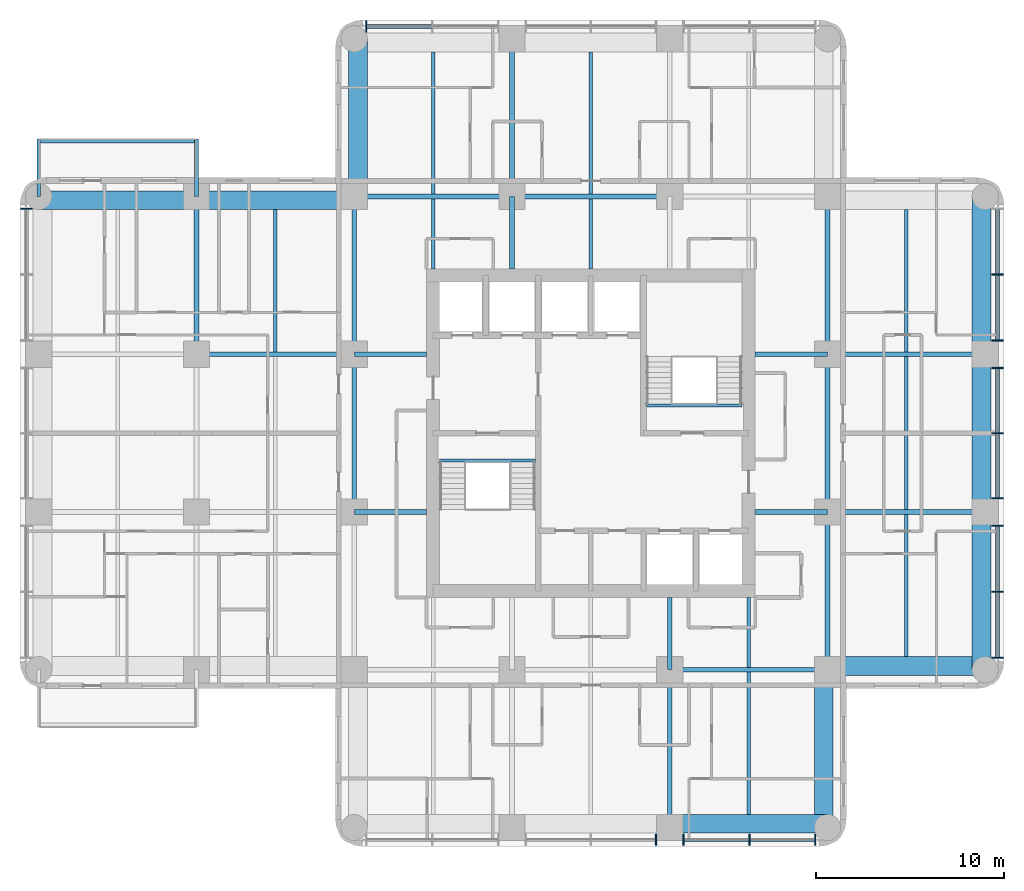
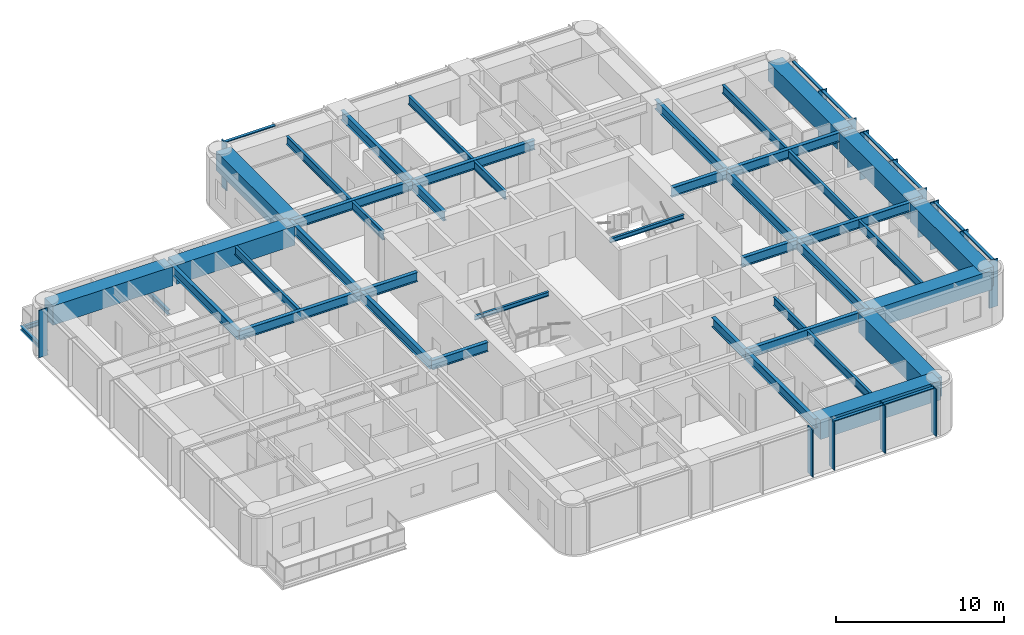
# One storey, part 2 of 11: 44 beams, 23 members, 4 elements without a shape of their own.
"""IFC4 building model written with IfcOpenShell, lengths in metres."""

import ifcopenshell
import ifcopenshell.guid

model = None  # the IFC model being written
_history = None  # IfcOwnerHistory: only IFC2X3 demands one
_inside = {}  # id of a spatial element -> (the spatial element, [elements in it])
_under = {}  # id of a project, library or spatial element -> (it, [spatial elements below it])
_declared = {}  # id of a project -> (the project, [libraries it declares])
_typed = {}  # id of a type object -> (the type object, [elements of that type])
_made_of = {}  # id of a material, layer set ... -> (it, [elements and type objects made of it])


def new_model(schema):
    """Start an empty IFC model of exactly this schema.

    Asked for "IFC4X3", IfcOpenShell would pick the latest addendum, in which some entities
    have other attributes; the version numbers below select the first issue.
    IFC2X3 requires an IfcOwnerHistory on every rooted entity: one is made here for all.
    """
    global model, _history
    if schema == "IFC4X3":
        model = ifcopenshell.file(schema_version=(4, 3, 0, 0))
    else:
        model = ifcopenshell.file(schema=schema)
    _inside.clear()
    _under.clear()
    _declared.clear()
    _typed.clear()
    _made_of.clear()
    _history = None
    if model.schema == "IFC2X3":
        org = make("IfcOrganization", Name="unknown")
        user = make(
            "IfcPersonAndOrganization",
            ThePerson=make("IfcPerson", FamilyName="unknown"),
            TheOrganization=org,
        )
        app = make(
            "IfcApplication",
            ApplicationDeveloper=org,
            Version="unknown",
            ApplicationFullName="unknown",
            ApplicationIdentifier="unknown",
        )
        _history = make(
            "IfcOwnerHistory",
            OwningUser=user,
            OwningApplication=app,
            ChangeAction="ADDED",
            CreationDate=0,
        )
    return model


def make(cls, **values):
    """One entity of the class cls with the attributes given. An attribute that is None is left unset."""
    return model.create_entity(
        cls, **{name: value for name, value in values.items() if value is not None}
    )


def rooted(cls, **values):
    """An entity with a GlobalId (a new one), such as an element, a storey or a relation."""
    return make(cls, GlobalId=ifcopenshell.guid.new(), OwnerHistory=_history, **values)


def si_unit(unit_type, name, prefix=None):
    """IfcSIUnit, for example si_unit("LENGTHUNIT", "METRE", prefix="MILLI")."""
    return make("IfcSIUnit", UnitType=unit_type, Prefix=prefix, Name=name)


def assignment(units):
    """IfcUnitAssignment: the units of a project."""
    return None if units is None else make("IfcUnitAssignment", Units=units)


def point(xyz):
    """IfcCartesianPoint."""
    return None if xyz is None else make("IfcCartesianPoint", Coordinates=xyz)


def direction(xyz):
    """IfcDirection."""
    return None if xyz is None else make("IfcDirection", DirectionRatios=xyz)


def frame(location, z_axis=None, x_axis=None):
    """IfcAxis2Placement3D, a coordinate frame: its origin and axes. An axis left out is left unset."""
    return make(
        "IfcAxis2Placement3D",
        Location=point(location),
        Axis=direction(z_axis),
        RefDirection=direction(x_axis),
    )


def frame_2d(location, x_axis=None):
    """IfcAxis2Placement2D, a coordinate frame in the plane: its origin and x axis."""
    return make(
        "IfcAxis2Placement2D", Location=point(location), RefDirection=direction(x_axis)
    )


def origin():
    """The frame at (0, 0, 0) with its axes left unset."""
    return frame((0.0, 0.0, 0.0))


def origin_2d():
    """The frame at (0, 0) in the plane with its x axis left unset."""
    return frame_2d((0.0, 0.0))


def place(relative_to, where):
    """IfcLocalPlacement: puts the frame where relative to a parent placement (None: the world)."""
    return make(
        "IfcLocalPlacement", PlacementRelTo=relative_to, RelativePlacement=where
    )


def context(
    kind, dimensions, precision=None, world=None, true_north=None, identifier=None
):
    """IfcGeometricRepresentationContext, for example the 3D "Model" context."""
    return make(
        "IfcGeometricRepresentationContext",
        ContextIdentifier=identifier,
        ContextType=kind,
        CoordinateSpaceDimension=dimensions,
        Precision=precision,
        WorldCoordinateSystem=world,
        TrueNorth=true_north,
    )


def subcontext(parent, identifier, kind, view, scale=None):
    """IfcGeometricRepresentationSubContext, for example "Body" below "Model"."""
    return make(
        "IfcGeometricRepresentationSubContext",
        ContextIdentifier=identifier,
        ContextType=kind,
        ParentContext=parent,
        TargetScale=scale,
        TargetView=view,
    )


def project(units=None, contexts=None):
    """IfcProject with its units and contexts."""
    return rooted(
        "IfcProject",
        Name="project",
        RepresentationContexts=contexts,
        UnitsInContext=assignment(units),
    )


def spatial(cls, under=None, at=None, **own):
    """A site, building, storey or space (cls), placed at a placement, below another one or the project."""
    s = rooted(cls, ObjectPlacement=at, **own)
    if under is not None:
        _under.setdefault(under.id(), (under, []))[1].append(s)
    return s


def profile(cls, at=None, kind="AREA", **sizes):
    """A parametric profile (cls). Its sizes go by their IFC names, for example OverallWidth=200.0."""
    return make(cls, ProfileType=kind, Position=at, **sizes)


def rectangle(**sizes):
    """IfcRectangleProfileDef."""
    return profile("IfcRectangleProfileDef", **sizes)


def i_section(**sizes):
    """IfcIShapeProfileDef."""
    return profile("IfcIShapeProfileDef", **sizes)


def extrude(swept, where, along, depth):
    """IfcExtrudedAreaSolid: the profile swept, set in the frame where, extruded along a direction by depth."""
    return make(
        "IfcExtrudedAreaSolid",
        SweptArea=swept,
        Position=where,
        ExtrudedDirection=direction(along),
        Depth=depth,
    )


def shape(context_of_items, identifier, shape_type, items):
    """IfcShapeRepresentation: the items that make up one representation, for example the "Body"."""
    return make(
        "IfcShapeRepresentation",
        ContextOfItems=context_of_items,
        RepresentationIdentifier=identifier,
        RepresentationType=shape_type,
        Items=items,
    )


def material(Name=None, Category=None):
    """IfcMaterial."""
    return make("IfcMaterial", Name=Name, Category=Category)


def material_profile(
    of_material, cross_section, Name=None, Category=None, Priority=None
):
    """IfcMaterialProfile: a cross section and its material."""
    return make(
        "IfcMaterialProfile",
        Name=Name,
        Material=of_material,
        Profile=cross_section,
        Priority=Priority,
        Category=Category,
    )


def profile_set(profiles, Name=None, composite=None):
    """IfcMaterialProfileSet."""
    return make(
        "IfcMaterialProfileSet",
        Name=Name,
        MaterialProfiles=profiles,
        CompositeProfile=composite,
    )


def made_of(thing, what):
    """Note that an element or type object is made of a material, layer set ...; save() writes the relation."""
    if what is not None:
        _made_of.setdefault(what.id(), (what, []))[1].append(thing)
    return thing


def type_object(cls, material=None, **own):
    """A type object (cls), such as IfcWallType, which elements share."""
    return made_of(rooted(cls, **own), material)


def element(
    cls,
    number,
    at=None,
    inside=None,
    cuts=None,
    type_object=None,
    material=None,
    context=None,
    identifier="Body",
    shape_type=None,
    held_by="IfcProductDefinitionShape",
    body=None,
    shapes=None,
    **own,
):
    """One element of the class cls, such as IfcWall. Its Tag is "e" and its number.

    at: its placement. inside: the storey or other place that contains it. cuts: it is an
    opening in that element (IfcRelVoidsElement). A single representation is given by context,
    identifier, shape_type and body (its items); several are given by shapes. held_by: the class
    of the entity that holds the representations. save() writes the other relations.
    """
    e = rooted(cls, Tag="e%d" % number, ObjectPlacement=at, **own)
    if body is not None:
        shapes = [shape(context, identifier, shape_type, body)]
    if shapes is not None:
        e.Representation = make(held_by, Representations=shapes)
    if inside is not None:
        _inside.setdefault(inside.id(), (inside, []))[1].append(e)
    if cuts is not None:
        rooted(
            "IfcRelVoidsElement", RelatingBuildingElement=cuts, RelatedOpeningElement=e
        )
    if type_object is not None:
        _typed.setdefault(type_object.id(), (type_object, []))[1].append(e)
    return made_of(e, material)


def aggregate(whole, parts):
    """IfcRelAggregates: a whole, such as a stair, and the parts it consists of."""
    return rooted("IfcRelAggregates", RelatingObject=whole, RelatedObjects=parts)


def save(model, path):
    """Write the relations noted so far, then the file.

    IfcRelAggregates (storeys below a building ...), IfcRelContainedInSpatialStructure (elements
    in a storey), IfcRelDefinesByType, IfcRelAssociatesMaterial and IfcRelDeclares: one each for
    every whole, place, type object, material and project.
    """
    for whole, parts in _under.values():
        aggregate(whole, parts)
    for where, things in _inside.values():
        rooted(
            "IfcRelContainedInSpatialStructure",
            RelatedElements=things,
            RelatingStructure=where,
        )
    for kind, things in _typed.values():
        rooted("IfcRelDefinesByType", RelatedObjects=things, RelatingType=kind)
    for what, things in _made_of.values():
        rooted("IfcRelAssociatesMaterial", RelatedObjects=things, RelatingMaterial=what)
    for by, libraries in _declared.values():
        rooted("IfcRelDeclares", RelatingContext=by, RelatedDefinitions=libraries)
    model.write(path)


model = new_model("IFC4")

# Units and contexts
model_context = context("Model", 3, precision=1e-05, world=origin(), true_north=direction((0.0, 1.0)))
body_context = subcontext(model_context, "Body", "Model", "MODEL_VIEW")
ifc_project = project(units=[si_unit("LENGTHUNIT", "METRE"), si_unit("AREAUNIT", "SQUARE_METRE"), si_unit("VOLUMEUNIT", "CUBIC_METRE"), si_unit("PLANEANGLEUNIT", "RADIAN"), si_unit("MASSUNIT", "GRAM", prefix="KILO")], contexts=[model_context])

# Site, building, storey
site_placement = place(None, origin())
site = spatial("IfcSite", under=ifc_project, at=site_placement, CompositionType="ELEMENT")
building_placement = place(site_placement, origin())
building = spatial("IfcBuilding", under=site, at=building_placement, Name="Torre Alcanfor", CompositionType="ELEMENT")
storey_placement = place(building_placement, frame((0.0, 0.0, 194.10009765625)))
storey = spatial("IfcBuildingStorey", under=building, at=storey_placement, Name="L50", CompositionType="ELEMENT", Elevation=194.10009765625)

# Beams
ifc_material_1 = material(Name="Steel ASTM A992 Grade 50", Category="steel")
ifc_material_profile_1 = material_profile(ifc_material_1, i_section(OverallWidth=0.205322265625, OverallDepth=0.309814453125, WebThickness=0.00927734375, FlangeThickness=0.016357421875, at=origin_2d()), Name="W12x50")
ifc_profile_set_1 = profile_set([ifc_material_profile_1], Name="Steel ASTM A992 Grade 50")
beam_type_1 = type_object("IfcBeamType", Name="Balcony cantilever beam W12x50", PredefinedType="BEAM", material=ifc_profile_set_1)
for number, where, z_axis, x_axis, name in (
    (1, (8.39990234375, 42.0, -0.35498046875), (0.0, 1.0, 0.0), (-1.0, 0.0, 0.0), "Balcony cantilever beam L50-W2 1"),
    (2, (0.0, 42.0, -0.35498046875), (0.0, 1.0, 0.0), (-1.0, 0.0, 0.0), "Balcony cantilever beam L50-W2 2"),
):
    element("IfcBeam", number, at=place(storey_placement, frame(where, z_axis=z_axis, x_axis=x_axis)), inside=storey, type_object=beam_type_1, Name=name, PredefinedType="BEAM", context=body_context, shape_type="SweptSolid", body=[
        extrude(i_section(OverallWidth=0.205322265625, OverallDepth=0.309814453125, WebThickness=0.00927734375, FlangeThickness=0.016357421875, at=origin_2d()), origin(), (0.0, 0.0, 1.0), 3.050048828125),
    ])
ifc_material_2 = material(Name="Steel ASTM A992 Grade 50", Category="steel")
ifc_material_profile_2 = material_profile(ifc_material_2, i_section(OverallWidth=0.203369140625, OverallDepth=0.30224609375, WebThickness=0.007568359375, FlangeThickness=0.01318359375, at=origin_2d()), Name="W12x40")
ifc_profile_set_2 = profile_set([ifc_material_profile_2], Name="Steel ASTM A992 Grade 50")
beam_type_2 = type_object("IfcBeamType", Name="Balcony edge trimmer W12x40", PredefinedType="BEAM", material=ifc_profile_set_2)
beam_1_placement = place(storey_placement, frame((8.39990234375, 44.9482421875, -0.351318359375), z_axis=(-1.0, 0.0, 0.0), x_axis=(0.0, -1.0, 0.0)))
element("IfcBeam", 3, at=beam_1_placement, inside=storey, type_object=beam_type_2, Name="Balcony edge trimmer L50-W2", PredefinedType="BEAM", context=body_context, shape_type="SweptSolid", body=[
    extrude(i_section(OverallWidth=0.203369140625, OverallDepth=0.30224609375, WebThickness=0.007568359375, FlangeThickness=0.01318359375, at=origin_2d()), origin(), (0.0, 0.0, 1.0), 8.39990234375),
])

# Curtain wall, member
ifc_material_3 = material(Name="Aluminium and glass", Category="aluminium")
curtain_wall_type = type_object("IfcCurtainWallType", Name="CW-A unitised apartment glazing with vertical FIN", PredefinedType="NOTDEFINED", material=ifc_material_3)
curtain_wall_1_placement = place(storey_placement, origin())
curtain_wall_1 = element("IfcCurtainWall", 4, at=curtain_wall_1_placement, inside=storey, type_object=curtain_wall_type, Name="Curtain wall CW-A L50 2", PredefinedType="NOTDEFINED")
ifc_material_4 = material(Name="Bronze anodised aluminium", Category="aluminium")
ifc_material_profile_3 = material_profile(ifc_material_4, rectangle(XDim=0.60009765625, YDim=0.06494140625, at=origin_2d()), Name="CW-A mullion 65x600")
ifc_profile_set_3 = profile_set([ifc_material_profile_3], Name="Bronze anodised aluminium")
member_type_1 = type_object("IfcMemberType", Name="CW-A mullion with vertical FIN 65x600", PredefinedType="MULLION", material=ifc_profile_set_3)
member_1_placement = place(storey_placement, frame((-0.64990234375, 41.35546875, 0.0), z_axis=(0.0, 0.0, 1.0), x_axis=(1.0, 0.0, 0.0)))
member_1 = element("IfcMember", 5, at=member_1_placement, type_object=member_type_1, Name="CW-A mullion 1.1", PredefinedType="MULLION", context=body_context, shape_type="SweptSolid", body=[
    extrude(rectangle(XDim=0.60009765625, YDim=0.06494140625, at=origin_2d()), origin(), (0.0, 0.0, 1.0), 3.449951171875),
])
aggregate(curtain_wall_1, [member_1])

# Curtain wall, members
curtain_wall_2_placement = place(storey_placement, origin())
curtain_wall_2 = element("IfcCurtainWall", 6, at=curtain_wall_2_placement, inside=storey, type_object=curtain_wall_type, Name="Curtain wall CW-A L50 5", PredefinedType="NOTDEFINED")
member_2_placement = place(storey_placement, frame((32.862548828125, 7.75, 0.0), z_axis=(0.0, 0.0, 1.0), x_axis=(0.0, 1.0, 0.0)))
member_2 = element("IfcMember", 7, at=member_2_placement, type_object=member_type_1, Name="CW-A mullion 2.3", PredefinedType="MULLION", context=body_context, shape_type="SweptSolid", body=[
    extrude(rectangle(XDim=0.60009765625, YDim=0.06494140625, at=origin_2d()), origin(), (0.0, 0.0, 1.0), 3.449951171875),
])
member_3_placement = place(storey_placement, frame((34.33740234375, 7.75, 0.0), z_axis=(0.0, 0.0, 1.0), x_axis=(0.0, 1.0, 0.0)))
member_3 = element("IfcMember", 8, at=member_3_placement, type_object=member_type_1, Name="CW-A mullion 3.1", PredefinedType="MULLION", context=body_context, shape_type="SweptSolid", body=[
    extrude(rectangle(XDim=0.60009765625, YDim=0.06494140625, at=origin_2d()), origin(), (0.0, 0.0, 1.0), 3.449951171875),
])
member_4_placement = place(storey_placement, frame((37.846435546875, 7.75, 0.0), z_axis=(0.0, 0.0, 1.0), x_axis=(0.0, 1.0, 0.0)))
member_4 = element("IfcMember", 9, at=member_4_placement, type_object=member_type_1, Name="CW-A mullion 3.2", PredefinedType="MULLION", context=body_context, shape_type="SweptSolid", body=[
    extrude(rectangle(XDim=0.60009765625, YDim=0.06494140625, at=origin_2d()), origin(), (0.0, 0.0, 1.0), 3.449951171875),
])
member_5_placement = place(storey_placement, frame((41.35546875, 7.75, 0.0), z_axis=(0.0, 0.0, 1.0), x_axis=(0.0, 1.0, 0.0)))
member_5 = element("IfcMember", 10, at=member_5_placement, type_object=member_type_1, Name="CW-A mullion 3.3", PredefinedType="MULLION", context=body_context, shape_type="SweptSolid", body=[
    extrude(rectangle(XDim=0.60009765625, YDim=0.06494140625, at=origin_2d()), origin(), (0.0, 0.0, 1.0), 3.449951171875),
])

curtain_wall_3_placement = place(storey_placement, origin())
curtain_wall_3 = element("IfcCurtainWall", 11, at=curtain_wall_3_placement, inside=storey, type_object=curtain_wall_type, Name="Curtain wall CW-A L50 8", PredefinedType="NOTDEFINED")
member_6_placement = place(storey_placement, frame((51.050048828125, 17.444580078125, 0.0), z_axis=(0.0, 0.0, 1.0), x_axis=(-1.0, 0.0, 0.0)))
member_6 = element("IfcMember", 12, at=member_6_placement, type_object=member_type_1, Name="CW-A mullion 1.1", PredefinedType="MULLION", context=body_context, shape_type="SweptSolid", body=[
    extrude(rectangle(XDim=0.60009765625, YDim=0.06494140625, at=origin_2d()), origin(), (0.0, 0.0, 1.0), 3.449951171875),
])
member_7_placement = place(storey_placement, frame((51.050048828125, 20.95361328125, 0.0), z_axis=(0.0, 0.0, 1.0), x_axis=(-1.0, 0.0, 0.0)))
member_7 = element("IfcMember", 13, at=member_7_placement, type_object=member_type_1, Name="CW-A mullion 1.2", PredefinedType="MULLION", context=body_context, shape_type="SweptSolid", body=[
    extrude(rectangle(XDim=0.60009765625, YDim=0.06494140625, at=origin_2d()), origin(), (0.0, 0.0, 1.0), 3.449951171875),
])
member_8_placement = place(storey_placement, frame((51.050048828125, 24.46240234375, 0.0), z_axis=(0.0, 0.0, 1.0), x_axis=(-1.0, 0.0, 0.0)))
member_8 = element("IfcMember", 14, at=member_8_placement, type_object=member_type_1, Name="CW-A mullion 1.3", PredefinedType="MULLION", context=body_context, shape_type="SweptSolid", body=[
    extrude(rectangle(XDim=0.60009765625, YDim=0.06494140625, at=origin_2d()), origin(), (0.0, 0.0, 1.0), 3.449951171875),
])
member_9_placement = place(storey_placement, frame((51.050048828125, 25.9375, 0.0), z_axis=(0.0, 0.0, 1.0), x_axis=(-1.0, 0.0, 0.0)))
member_9 = element("IfcMember", 15, at=member_9_placement, type_object=member_type_1, Name="CW-A mullion 2.1", PredefinedType="MULLION", context=body_context, shape_type="SweptSolid", body=[
    extrude(rectangle(XDim=0.60009765625, YDim=0.06494140625, at=origin_2d()), origin(), (0.0, 0.0, 1.0), 3.449951171875),
])
member_10_placement = place(storey_placement, frame((51.050048828125, 29.39990234375, 0.0), z_axis=(0.0, 0.0, 1.0), x_axis=(-1.0, 0.0, 0.0)))
member_10 = element("IfcMember", 16, at=member_10_placement, type_object=member_type_1, Name="CW-A mullion 2.2", PredefinedType="MULLION", context=body_context, shape_type="SweptSolid", body=[
    extrude(rectangle(XDim=0.60009765625, YDim=0.06494140625, at=origin_2d()), origin(), (0.0, 0.0, 1.0), 3.449951171875),
])
member_11_placement = place(storey_placement, frame((51.050048828125, 32.862548828125, 0.0), z_axis=(0.0, 0.0, 1.0), x_axis=(-1.0, 0.0, 0.0)))
member_11 = element("IfcMember", 17, at=member_11_placement, type_object=member_type_1, Name="CW-A mullion 2.3", PredefinedType="MULLION", context=body_context, shape_type="SweptSolid", body=[
    extrude(rectangle(XDim=0.60009765625, YDim=0.06494140625, at=origin_2d()), origin(), (0.0, 0.0, 1.0), 3.449951171875),
])
member_12_placement = place(storey_placement, frame((51.050048828125, 34.33740234375, 0.0), z_axis=(0.0, 0.0, 1.0), x_axis=(-1.0, 0.0, 0.0)))
member_12 = element("IfcMember", 18, at=member_12_placement, type_object=member_type_1, Name="CW-A mullion 3.1", PredefinedType="MULLION", context=body_context, shape_type="SweptSolid", body=[
    extrude(rectangle(XDim=0.60009765625, YDim=0.06494140625, at=origin_2d()), origin(), (0.0, 0.0, 1.0), 3.449951171875),
])
member_13_placement = place(storey_placement, frame((51.050048828125, 37.846435546875, 0.0), z_axis=(0.0, 0.0, 1.0), x_axis=(-1.0, 0.0, 0.0)))
member_13 = element("IfcMember", 19, at=member_13_placement, type_object=member_type_1, Name="CW-A mullion 3.2", PredefinedType="MULLION", context=body_context, shape_type="SweptSolid", body=[
    extrude(rectangle(XDim=0.60009765625, YDim=0.06494140625, at=origin_2d()), origin(), (0.0, 0.0, 1.0), 3.449951171875),
])

# Curtain wall, member
curtain_wall_4_placement = place(storey_placement, origin())
curtain_wall_4 = element("IfcCurtainWall", 20, at=curtain_wall_4_placement, inside=storey, type_object=curtain_wall_type, Name="Curtain wall CW-A L50 11", PredefinedType="NOTDEFINED")
member_14_placement = place(storey_placement, frame((17.444580078125, 51.050048828125, 0.0), z_axis=(0.0, 0.0, 1.0), x_axis=(0.0, -1.0, 0.0)))
member_14 = element("IfcMember", 21, at=member_14_placement, type_object=member_type_1, Name="CW-A mullion 3.3", PredefinedType="MULLION", context=body_context, shape_type="SweptSolid", body=[
    extrude(rectangle(XDim=0.60009765625, YDim=0.06494140625, at=origin_2d()), origin(), (0.0, 0.0, 1.0), 3.449951171875),
])

# Member
ifc_material_5 = material(Name="Extruded aluminium", Category="aluminium")
ifc_material_profile_4 = material_profile(ifc_material_5, rectangle(XDim=0.199951171875, YDim=0.06494140625, at=origin_2d()), Name="CW-A transom 200x65")
ifc_profile_set_4 = profile_set([ifc_material_profile_4], Name="Extruded aluminium")
member_type_2 = type_object("IfcMemberType", Name="CW-A transom 65x200", PredefinedType="USERDEFINED", material=ifc_profile_set_4)
member_15_placement = place(storey_placement, frame((34.3701171875, 7.75, 3.41748046875), z_axis=(1.0, 0.0, 0.0), x_axis=(0.0, 1.0, 0.0)))
member_15 = element("IfcMember", 22, at=member_15_placement, type_object=member_type_2, Name="CW-A transom 3.1.2", ObjectType="TRANSOM", PredefinedType="USERDEFINED", context=body_context, shape_type="SweptSolid", body=[
    extrude(rectangle(XDim=0.199951171875, YDim=0.06494140625, at=origin_2d()), origin(), (0.0, 0.0, 1.0), 3.44384765625),
])

member_16_placement = place(storey_placement, frame((37.87890625, 7.75, 3.41748046875), z_axis=(1.0, 0.0, 0.0), x_axis=(0.0, 1.0, 0.0)))
member_16 = element("IfcMember", 23, at=member_16_placement, type_object=member_type_2, Name="CW-A transom 3.2.2", ObjectType="TRANSOM", PredefinedType="USERDEFINED", context=body_context, shape_type="SweptSolid", body=[
    extrude(rectangle(XDim=0.199951171875, YDim=0.06494140625, at=origin_2d()), origin(), (0.0, 0.0, 1.0), 3.444091796875),
])

aggregate(curtain_wall_2, [member_2, member_3, member_4, member_5, member_15, member_16])

member_17_placement = place(storey_placement, frame((51.050048828125, 17.47705078125, 3.41748046875), z_axis=(0.0, 1.0, 0.0), x_axis=(-1.0, 0.0, 0.0)))
member_17 = element("IfcMember", 24, at=member_17_placement, type_object=member_type_2, Name="CW-A transom 1.1.2", ObjectType="TRANSOM", PredefinedType="USERDEFINED", context=body_context, shape_type="SweptSolid", body=[
    extrude(rectangle(XDim=0.199951171875, YDim=0.06494140625, at=origin_2d()), origin(), (0.0, 0.0, 1.0), 3.44384765625),
])

member_18_placement = place(storey_placement, frame((51.050048828125, 20.986083984375, 3.41748046875), z_axis=(0.0, 1.0, 0.0), x_axis=(-1.0, 0.0, 0.0)))
member_18 = element("IfcMember", 25, at=member_18_placement, type_object=member_type_2, Name="CW-A transom 1.2.2", ObjectType="TRANSOM", PredefinedType="USERDEFINED", context=body_context, shape_type="SweptSolid", body=[
    extrude(rectangle(XDim=0.199951171875, YDim=0.06494140625, at=origin_2d()), origin(), (0.0, 0.0, 1.0), 3.44384765625),
])

member_19_placement = place(storey_placement, frame((51.050048828125, 25.969970703125, 3.41748046875), z_axis=(0.0, 1.0, 0.0), x_axis=(-1.0, 0.0, 0.0)))
member_19 = element("IfcMember", 26, at=member_19_placement, type_object=member_type_2, Name="CW-A transom 2.1.2", ObjectType="TRANSOM", PredefinedType="USERDEFINED", context=body_context, shape_type="SweptSolid", body=[
    extrude(rectangle(XDim=0.199951171875, YDim=0.06494140625, at=origin_2d()), origin(), (0.0, 0.0, 1.0), 3.3974609375),
])

member_20_placement = place(storey_placement, frame((51.050048828125, 29.4326171875, 3.41748046875), z_axis=(0.0, 1.0, 0.0), x_axis=(-1.0, 0.0, 0.0)))
member_20 = element("IfcMember", 27, at=member_20_placement, type_object=member_type_2, Name="CW-A transom 2.2.2", ObjectType="TRANSOM", PredefinedType="USERDEFINED", context=body_context, shape_type="SweptSolid", body=[
    extrude(rectangle(XDim=0.199951171875, YDim=0.06494140625, at=origin_2d()), origin(), (0.0, 0.0, 1.0), 3.3974609375),
])

member_21_placement = place(storey_placement, frame((51.050048828125, 34.3701171875, 3.41748046875), z_axis=(0.0, 1.0, 0.0), x_axis=(-1.0, 0.0, 0.0)))
member_21 = element("IfcMember", 28, at=member_21_placement, type_object=member_type_2, Name="CW-A transom 3.1.2", ObjectType="TRANSOM", PredefinedType="USERDEFINED", context=body_context, shape_type="SweptSolid", body=[
    extrude(rectangle(XDim=0.199951171875, YDim=0.06494140625, at=origin_2d()), origin(), (0.0, 0.0, 1.0), 3.44384765625),
])

member_22_placement = place(storey_placement, frame((51.050048828125, 37.87890625, 3.41748046875), z_axis=(0.0, 1.0, 0.0), x_axis=(-1.0, 0.0, 0.0)))
member_22 = element("IfcMember", 29, at=member_22_placement, type_object=member_type_2, Name="CW-A transom 3.2.2", ObjectType="TRANSOM", PredefinedType="USERDEFINED", context=body_context, shape_type="SweptSolid", body=[
    extrude(rectangle(XDim=0.199951171875, YDim=0.06494140625, at=origin_2d()), origin(), (0.0, 0.0, 1.0), 3.444091796875),
])

aggregate(curtain_wall_3, [member_6, member_7, member_8, member_17, member_18, member_9, member_10, member_11, member_19, member_20, member_12, member_13, member_21, member_22])

member_23_placement = place(storey_placement, frame((20.9208984375, 51.050048828125, 3.41748046875), z_axis=(-1.0, 0.0, 0.0), x_axis=(0.0, -1.0, 0.0)))
member_23 = element("IfcMember", 30, at=member_23_placement, type_object=member_type_2, Name="CW-A transom 3.2.2", ObjectType="TRANSOM", PredefinedType="USERDEFINED", context=body_context, shape_type="SweptSolid", body=[
    extrude(rectangle(XDim=0.199951171875, YDim=0.06494140625, at=origin_2d()), origin(), (0.0, 0.0, 1.0), 3.44384765625),
])

aggregate(curtain_wall_4, [member_14, member_23])

# Beams
ifc_material_6 = material(Name="Steel ASTM A992 Grade 50", Category="steel")
ifc_material_profile_5 = material_profile(ifc_material_6, i_section(OverallWidth=0.25390625, OverallDepth=0.683349609375, WebThickness=0.012451171875, FlangeThickness=0.01904296875, at=origin_2d()), Name="W27x94")
ifc_profile_set_5 = profile_set([ifc_material_profile_5], Name="Steel ASTM A992 Grade 50")
beam_type_3 = type_object("IfcBeamType", Name="Girder W27x94", PredefinedType="BEAM", material=ifc_profile_set_5)
for number, where, z_axis, x_axis, name in (
    (31, (33.60009765625, 16.800048828125, 3.108154296875), (1.0, 0.0, 0.0), (0.0, 1.0, 0.0), "Beam 5E-6E under L51"),
    (32, (42.0, 25.199951171875, 3.108154296875), (1.0, 0.0, 0.0), (0.0, 1.0, 0.0), "Beam 6F-7F under L51"),
):
    element("IfcBeam", number, at=place(storey_placement, frame(where, z_axis=z_axis, x_axis=x_axis)), inside=storey, type_object=beam_type_3, Name=name, PredefinedType="BEAM", context=body_context, shape_type="SweptSolid", body=[
        extrude(i_section(OverallWidth=0.25390625, OverallDepth=0.683349609375, WebThickness=0.012451171875, FlangeThickness=0.01904296875, at=origin_2d()), origin(), (0.0, 0.0, 1.0), 8.39990234375),
    ])
beam_2_placement = place(storey_placement, frame((8.39990234375, 33.60009765625, 3.108154296875), z_axis=(1.0, 0.0, 0.0), x_axis=(0.0, 1.0, 0.0)))
element("IfcBeam", 33, at=beam_2_placement, inside=storey, type_object=beam_type_3, Name="Beam 2G-3G under L51", PredefinedType="BEAM", context=body_context, shape_type="SweptSolid", body=[
    extrude(i_section(OverallWidth=0.25390625, OverallDepth=0.683349609375, WebThickness=0.012451171875, FlangeThickness=0.01904296875, at=origin_2d()), origin(), (0.0, 0.0, 1.0), 8.400146484375),
])
for number, where, z_axis, x_axis, name in (
    (34, (42.0, 33.60009765625, 3.108154296875), (1.0, 0.0, 0.0), (0.0, 1.0, 0.0), "Beam 6G-7G under L51"),
    (35, (16.800048828125, 42.0, 3.108154296875), (1.0, 0.0, 0.0), (0.0, 1.0, 0.0), "Beam 3H-4H under L51"),
):
    element("IfcBeam", number, at=place(storey_placement, frame(where, z_axis=z_axis, x_axis=x_axis)), inside=storey, type_object=beam_type_3, Name=name, PredefinedType="BEAM", context=body_context, shape_type="SweptSolid", body=[
        extrude(i_section(OverallWidth=0.25390625, OverallDepth=0.683349609375, WebThickness=0.012451171875, FlangeThickness=0.01904296875, at=origin_2d()), origin(), (0.0, 0.0, 1.0), 8.39990234375),
    ])
beam_3_placement = place(storey_placement, frame((25.199951171875, 42.0, 3.108154296875), z_axis=(1.0, 0.0, 0.0), x_axis=(0.0, 1.0, 0.0)))
element("IfcBeam", 36, at=beam_3_placement, inside=storey, type_object=beam_type_3, Name="Beam 4H-5H under L51", PredefinedType="BEAM", context=body_context, shape_type="SweptSolid", body=[
    extrude(i_section(OverallWidth=0.25390625, OverallDepth=0.683349609375, WebThickness=0.012451171875, FlangeThickness=0.01904296875, at=origin_2d()), origin(), (0.0, 0.0, 1.0), 8.400146484375),
])
beam_4_placement = place(storey_placement, frame((8.39990234375, 33.60009765625, 3.108154296875), z_axis=(0.0, 1.0, 0.0), x_axis=(-1.0, 0.0, 0.0)))
element("IfcBeam", 37, at=beam_4_placement, inside=storey, type_object=beam_type_3, Name="Beam 2G-2H under L51", PredefinedType="BEAM", context=body_context, shape_type="SweptSolid", body=[
    extrude(i_section(OverallWidth=0.25390625, OverallDepth=0.683349609375, WebThickness=0.012451171875, FlangeThickness=0.01904296875, at=origin_2d()), origin(), (0.0, 0.0, 1.0), 8.39990234375),
])
beam_5_placement = place(storey_placement, frame((16.800048828125, 25.199951171875, 3.108154296875), z_axis=(0.0, 1.0, 0.0), x_axis=(-1.0, 0.0, 0.0)))
element("IfcBeam", 38, at=beam_5_placement, inside=storey, type_object=beam_type_3, Name="Beam 3F-3G under L51", PredefinedType="BEAM", context=body_context, shape_type="SweptSolid", body=[
    extrude(i_section(OverallWidth=0.25390625, OverallDepth=0.683349609375, WebThickness=0.012451171875, FlangeThickness=0.01904296875, at=origin_2d()), origin(), (0.0, 0.0, 1.0), 8.400146484375),
])
for number, where, z_axis, x_axis, name in (
    (39, (16.800048828125, 33.60009765625, 3.108154296875), (0.0, 1.0, 0.0), (-1.0, 0.0, 0.0), "Beam 3G-3H under L51"),
    (40, (25.199951171875, 42.0, 3.108154296875), (0.0, 1.0, 0.0), (-1.0, 0.0, 0.0), "Beam 4H-4J under L51"),
):
    element("IfcBeam", number, at=place(storey_placement, frame(where, z_axis=z_axis, x_axis=x_axis)), inside=storey, type_object=beam_type_3, Name=name, PredefinedType="BEAM", context=body_context, shape_type="SweptSolid", body=[
        extrude(i_section(OverallWidth=0.25390625, OverallDepth=0.683349609375, WebThickness=0.012451171875, FlangeThickness=0.01904296875, at=origin_2d()), origin(), (0.0, 0.0, 1.0), 8.39990234375),
    ])
beam_6_placement = place(storey_placement, frame((33.60009765625, 8.39990234375, 3.108154296875), z_axis=(0.0, 1.0, 0.0), x_axis=(-1.0, 0.0, 0.0)))
element("IfcBeam", 41, at=beam_6_placement, inside=storey, type_object=beam_type_3, Name="Beam 5D-5E under L51", PredefinedType="BEAM", context=body_context, shape_type="SweptSolid", body=[
    extrude(i_section(OverallWidth=0.25390625, OverallDepth=0.683349609375, WebThickness=0.012451171875, FlangeThickness=0.01904296875, at=origin_2d()), origin(), (0.0, 0.0, 1.0), 8.400146484375),
])
beam_7_placement = place(storey_placement, frame((42.0, 16.800048828125, 3.108154296875), z_axis=(0.0, 1.0, 0.0), x_axis=(-1.0, 0.0, 0.0)))
element("IfcBeam", 42, at=beam_7_placement, inside=storey, type_object=beam_type_3, Name="Beam 6E-6F under L51", PredefinedType="BEAM", context=body_context, shape_type="SweptSolid", body=[
    extrude(i_section(OverallWidth=0.25390625, OverallDepth=0.683349609375, WebThickness=0.012451171875, FlangeThickness=0.01904296875, at=origin_2d()), origin(), (0.0, 0.0, 1.0), 8.39990234375),
])
beam_8_placement = place(storey_placement, frame((42.0, 25.199951171875, 3.108154296875), z_axis=(0.0, 1.0, 0.0), x_axis=(-1.0, 0.0, 0.0)))
element("IfcBeam", 43, at=beam_8_placement, inside=storey, type_object=beam_type_3, Name="Beam 6F-6G under L51", PredefinedType="BEAM", context=body_context, shape_type="SweptSolid", body=[
    extrude(i_section(OverallWidth=0.25390625, OverallDepth=0.683349609375, WebThickness=0.012451171875, FlangeThickness=0.01904296875, at=origin_2d()), origin(), (0.0, 0.0, 1.0), 8.400146484375),
])
beam_9_placement = place(storey_placement, frame((42.0, 33.60009765625, 3.108154296875), z_axis=(0.0, 1.0, 0.0), x_axis=(-1.0, 0.0, 0.0)))
element("IfcBeam", 44, at=beam_9_placement, inside=storey, type_object=beam_type_3, Name="Beam 6G-6H under L51", PredefinedType="BEAM", context=body_context, shape_type="SweptSolid", body=[
    extrude(i_section(OverallWidth=0.25390625, OverallDepth=0.683349609375, WebThickness=0.012451171875, FlangeThickness=0.01904296875, at=origin_2d()), origin(), (0.0, 0.0, 1.0), 8.39990234375),
])
ifc_material_7 = material(Name="Steel ASTM A992 Grade 50", Category="steel")
ifc_material_profile_6 = material_profile(ifc_material_7, i_section(OverallWidth=0.25390625, OverallDepth=0.683349609375, WebThickness=0.012451171875, FlangeThickness=0.01904296875, at=origin_2d()), Name="W27x94")
ifc_profile_set_6 = profile_set([ifc_material_profile_6], Name="Steel ASTM A992 Grade 50")
beam_type_4 = type_object("IfcBeamType", Name="Girder, part bay W27x94", PredefinedType="BEAM", material=ifc_profile_set_6)
beam_10_placement = place(storey_placement, frame((25.199951171875, 42.0, 3.108154296875), z_axis=(0.0, -1.0, 0.0), x_axis=(1.0, 0.0, 0.0)))
element("IfcBeam", 45, at=beam_10_placement, inside=storey, type_object=beam_type_4, Name="Beam 4H-438_15 under L51", PredefinedType="BEAM", context=body_context, shape_type="SweptSolid", body=[
    extrude(i_section(OverallWidth=0.25390625, OverallDepth=0.683349609375, WebThickness=0.012451171875, FlangeThickness=0.01904296875, at=origin_2d()), origin(), (0.0, 0.0, 1.0), 3.85009765625),
])
for number, where, z_axis, x_axis, name in (
    (46, (33.60009765625, 16.800048828125, 3.108154296875), (0.0, 1.0, 0.0), (-1.0, 0.0, 0.0), "Beam 5E-520_65 under L51"),
    (47, (16.800048828125, 25.199951171875, 3.108154296875), (1.0, 0.0, 0.0), (0.0, 1.0, 0.0), "Beam 3F-20_65F under L51"),
):
    element("IfcBeam", number, at=place(storey_placement, frame(where, z_axis=z_axis, x_axis=x_axis)), inside=storey, type_object=beam_type_4, Name=name, PredefinedType="BEAM", context=body_context, shape_type="SweptSolid", body=[
        extrude(i_section(OverallWidth=0.25390625, OverallDepth=0.683349609375, WebThickness=0.012451171875, FlangeThickness=0.01904296875, at=origin_2d()), origin(), (0.0, 0.0, 1.0), 3.849853515625),
    ])
beam_11_placement = place(storey_placement, frame((42.0, 25.199951171875, 3.108154296875), z_axis=(-1.0, 0.0, 0.0), x_axis=(0.0, -1.0, 0.0)))
element("IfcBeam", 48, at=beam_11_placement, inside=storey, type_object=beam_type_4, Name="Beam 6F-38_15F under L51", PredefinedType="BEAM", context=body_context, shape_type="SweptSolid", body=[
    extrude(i_section(OverallWidth=0.25390625, OverallDepth=0.683349609375, WebThickness=0.012451171875, FlangeThickness=0.01904296875, at=origin_2d()), origin(), (0.0, 0.0, 1.0), 3.85009765625),
])
beam_12_placement = place(storey_placement, frame((16.800048828125, 33.60009765625, 3.108154296875), z_axis=(1.0, 0.0, 0.0), x_axis=(0.0, 1.0, 0.0)))
element("IfcBeam", 49, at=beam_12_placement, inside=storey, type_object=beam_type_4, Name="Beam 3G-20_65G under L51", PredefinedType="BEAM", context=body_context, shape_type="SweptSolid", body=[
    extrude(i_section(OverallWidth=0.25390625, OverallDepth=0.683349609375, WebThickness=0.012451171875, FlangeThickness=0.01904296875, at=origin_2d()), origin(), (0.0, 0.0, 1.0), 3.849853515625),
])
beam_13_placement = place(storey_placement, frame((42.0, 33.60009765625, 3.108154296875), z_axis=(-1.0, 0.0, 0.0), x_axis=(0.0, -1.0, 0.0)))
element("IfcBeam", 50, at=beam_13_placement, inside=storey, type_object=beam_type_4, Name="Beam 6G-38_15G under L51", PredefinedType="BEAM", context=body_context, shape_type="SweptSolid", body=[
    extrude(i_section(OverallWidth=0.25390625, OverallDepth=0.683349609375, WebThickness=0.012451171875, FlangeThickness=0.01904296875, at=origin_2d()), origin(), (0.0, 0.0, 1.0), 3.85009765625),
])
ifc_material_8 = material(Name="Concrete f'c 70 MPa", Category="concrete")
ifc_material_profile_7 = material_profile(ifc_material_8, rectangle(XDim=1.0, YDim=1.39990234375, at=origin_2d()), Name="1000x1400")
ifc_profile_set_7 = profile_set([ifc_material_profile_7], Name="Concrete f'c 70 MPa")
beam_type_5 = type_object("IfcBeamType", Name="RC perimeter beam 1000x1400", PredefinedType="BEAM", material=ifc_profile_set_7)
for number, where, z_axis, x_axis, name in (
    (51, (33.72705078125, 8.60009765625, 2.75), (1.0, 0.0, 0.0), (0.0, 1.0, 0.0), "Beam 5D-6D under L51"),
    (52, (42.126953125, 17.0, 2.75), (1.0, 0.0, 0.0), (0.0, 1.0, 0.0), "Beam 6E-7E under L51"),
    (53, (0.0, 41.800048828125, 2.75), (1.0, 0.0, 0.0), (0.0, 1.0, 0.0), "Beam 1H-2H under L51"),
):
    element("IfcBeam", number, at=place(storey_placement, frame(where, z_axis=z_axis, x_axis=x_axis)), inside=storey, type_object=beam_type_5, Name=name, PredefinedType="BEAM", context=body_context, shape_type="SweptSolid", body=[
        extrude(rectangle(XDim=1.0, YDim=1.39990234375, at=origin_2d()), origin(), (0.0, 0.0, 1.0), 8.27294921875),
    ])
beam_14_placement = place(storey_placement, frame((8.527099609375, 41.800048828125, 2.75), z_axis=(1.0, 0.0, 0.0), x_axis=(0.0, 1.0, 0.0)))
element("IfcBeam", 54, at=beam_14_placement, inside=storey, type_object=beam_type_5, Name="Beam 2H-3H under L51", PredefinedType="BEAM", context=body_context, shape_type="SweptSolid", body=[
    extrude(rectangle(XDim=1.0, YDim=1.39990234375, at=origin_2d()), origin(), (0.0, 0.0, 1.0), 8.14599609375),
])
beam_15_placement = place(storey_placement, frame((17.0, 42.126953125, 2.75), z_axis=(0.0, 1.0, 0.0), x_axis=(-1.0, 0.0, 0.0)))
element("IfcBeam", 55, at=beam_15_placement, inside=storey, type_object=beam_type_5, Name="Beam 3H-3J under L51", PredefinedType="BEAM", context=body_context, shape_type="SweptSolid", body=[
    extrude(rectangle(XDim=1.0, YDim=1.39990234375, at=origin_2d()), origin(), (0.0, 0.0, 1.0), 8.27294921875),
])
beam_16_placement = place(storey_placement, frame((41.800048828125, 8.39990234375, 2.75), z_axis=(0.0, 1.0, 0.0), x_axis=(-1.0, 0.0, 0.0)))
element("IfcBeam", 56, at=beam_16_placement, inside=storey, type_object=beam_type_5, Name="Beam 6D-6E under L51", PredefinedType="BEAM", context=body_context, shape_type="SweptSolid", body=[
    extrude(rectangle(XDim=1.0, YDim=1.39990234375, at=origin_2d()), origin(), (0.0, 0.0, 1.0), 8.273193359375),
])
beam_17_placement = place(storey_placement, frame((50.199951171875, 16.800048828125, 2.75), z_axis=(0.0, 1.0, 0.0), x_axis=(-1.0, 0.0, 0.0)))
element("IfcBeam", 57, at=beam_17_placement, inside=storey, type_object=beam_type_5, Name="Beam 7E-7F under L51", PredefinedType="BEAM", context=body_context, shape_type="SweptSolid", body=[
    extrude(rectangle(XDim=1.0, YDim=1.39990234375, at=origin_2d()), origin(), (0.0, 0.0, 1.0), 8.27294921875),
])
beam_18_placement = place(storey_placement, frame((50.199951171875, 25.326904296875, 2.75), z_axis=(0.0, 1.0, 0.0), x_axis=(-1.0, 0.0, 0.0)))
element("IfcBeam", 58, at=beam_18_placement, inside=storey, type_object=beam_type_5, Name="Beam 7F-7G under L51", PredefinedType="BEAM", context=body_context, shape_type="SweptSolid", body=[
    extrude(rectangle(XDim=1.0, YDim=1.39990234375, at=origin_2d()), origin(), (0.0, 0.0, 1.0), 8.14599609375),
])
beam_19_placement = place(storey_placement, frame((50.199951171875, 33.72705078125, 2.75), z_axis=(0.0, 1.0, 0.0), x_axis=(-1.0, 0.0, 0.0)))
element("IfcBeam", 59, at=beam_19_placement, inside=storey, type_object=beam_type_5, Name="Beam 7G-7H under L51", PredefinedType="BEAM", context=body_context, shape_type="SweptSolid", body=[
    extrude(rectangle(XDim=1.0, YDim=1.39990234375, at=origin_2d()), origin(), (0.0, 0.0, 1.0), 8.27294921875),
])
ifc_material_9 = material(Name="Steel ASTM A992 Grade 50", Category="steel")
ifc_material_profile_8 = material_profile(ifc_material_9, i_section(OverallWidth=0.1787109375, OverallDepth=0.60205078125, WebThickness=0.010986328125, FlangeThickness=0.014892578125, at=origin_2d()), Name="W24x62")
ifc_profile_set_8 = profile_set([ifc_material_profile_8], Name="Steel ASTM A992 Grade 50")
beam_type_6 = type_object("IfcBeamType", Name="Secondary beam W24x62", PredefinedType="BEAM", material=ifc_profile_set_8)
for number, where, z_axis, x_axis, name in (
    (60, (12.60009765625, 33.72705078125, 3.14892578125), (0.0, 1.0, 0.0), (-1.0, 0.0, 0.0), "Beam 12_6G-12_6H under L51"),
    (61, (21.0, 42.126953125, 3.14892578125), (0.0, 1.0, 0.0), (-1.0, 0.0, 0.0), "Beam 21H-21J under L51"),
    (62, (29.39990234375, 42.126953125, 3.14892578125), (0.0, 1.0, 0.0), (-1.0, 0.0, 0.0), "Beam 29_4H-29_4J under L51"),
    (63, (37.800048828125, 9.10009765625, 3.14892578125), (0.0, 1.0, 0.0), (-1.0, 0.0, 0.0), "Beam 37_8D-37_8E under L51"),
    (64, (46.199951171875, 17.5, 3.14892578125), (0.0, 1.0, 0.0), (-1.0, 0.0, 0.0), "Beam 46_2E-46_2F under L51"),
):
    element("IfcBeam", number, at=place(storey_placement, frame(where, z_axis=z_axis, x_axis=x_axis)), inside=storey, type_object=beam_type_6, Name=name, PredefinedType="BEAM", context=body_context, shape_type="SweptSolid", body=[
        extrude(i_section(OverallWidth=0.1787109375, OverallDepth=0.60205078125, WebThickness=0.010986328125, FlangeThickness=0.014892578125, at=origin_2d()), origin(), (0.0, 0.0, 1.0), 7.572998046875),
    ])
beam_20_placement = place(storey_placement, frame((46.199951171875, 25.326904296875, 3.14892578125), z_axis=(0.0, 1.0, 0.0), x_axis=(-1.0, 0.0, 0.0)))
element("IfcBeam", 65, at=beam_20_placement, inside=storey, type_object=beam_type_6, Name="Beam 46_2F-46_2G under L51", PredefinedType="BEAM", context=body_context, shape_type="SweptSolid", body=[
    extrude(i_section(OverallWidth=0.1787109375, OverallDepth=0.60205078125, WebThickness=0.010986328125, FlangeThickness=0.014892578125, at=origin_2d()), origin(), (0.0, 0.0, 1.0), 8.14599609375),
])
beam_21_placement = place(storey_placement, frame((46.199951171875, 33.72705078125, 3.14892578125), z_axis=(0.0, 1.0, 0.0), x_axis=(-1.0, 0.0, 0.0)))
element("IfcBeam", 66, at=beam_21_placement, inside=storey, type_object=beam_type_6, Name="Beam 46_2G-46_2H under L51", PredefinedType="BEAM", context=body_context, shape_type="SweptSolid", body=[
    extrude(i_section(OverallWidth=0.1787109375, OverallDepth=0.60205078125, WebThickness=0.010986328125, FlangeThickness=0.014892578125, at=origin_2d()), origin(), (0.0, 0.0, 1.0), 7.572998046875),
])
ifc_material_10 = material(Name="Steel ASTM A992 Grade 50", Category="steel")
ifc_material_profile_9 = material_profile(ifc_material_10, i_section(OverallWidth=0.1787109375, OverallDepth=0.60205078125, WebThickness=0.010986328125, FlangeThickness=0.014892578125, at=origin_2d()), Name="W24x62")
ifc_profile_set_9 = profile_set([ifc_material_profile_9], Name="Steel ASTM A992 Grade 50")
beam_type_7 = type_object("IfcBeamType", Name="Secondary beam, part bay W24x62", PredefinedType="BEAM", material=ifc_profile_set_9)
for number, where, z_axis, x_axis, name in (
    (67, (21.0, 38.14990234375, 3.14892578125), (0.0, 1.0, 0.0), (-1.0, 0.0, 0.0), "Beam 2138_15-21H under L51"),
    (68, (29.39990234375, 38.14990234375, 3.14892578125), (0.0, 1.0, 0.0), (-1.0, 0.0, 0.0), "Beam 29_438_15-29_4H under L51"),
):
    element("IfcBeam", number, at=place(storey_placement, frame(where, z_axis=z_axis, x_axis=x_axis)), inside=storey, type_object=beam_type_7, Name=name, PredefinedType="BEAM", context=body_context, shape_type="SweptSolid", body=[
        extrude(i_section(OverallWidth=0.1787109375, OverallDepth=0.60205078125, WebThickness=0.010986328125, FlangeThickness=0.014892578125, at=origin_2d()), origin(), (0.0, 0.0, 1.0), 3.72314453125),
    ])
beam_22_placement = place(storey_placement, frame((37.800048828125, 16.927001953125, 3.14892578125), z_axis=(0.0, 1.0, 0.0), x_axis=(-1.0, 0.0, 0.0)))
element("IfcBeam", 69, at=beam_22_placement, inside=storey, type_object=beam_type_7, Name="Beam 37_8E-37_820_65 under L51", PredefinedType="BEAM", context=body_context, shape_type="SweptSolid", body=[
    extrude(i_section(OverallWidth=0.1787109375, OverallDepth=0.60205078125, WebThickness=0.010986328125, FlangeThickness=0.014892578125, at=origin_2d()), origin(), (0.0, 0.0, 1.0), 3.722900390625),
])
ifc_material_11 = material(Name="Steel ASTM A992 Grade 50", Category="steel")
ifc_material_profile_10 = material_profile(ifc_material_11, i_section(OverallWidth=0.164794921875, OverallDepth=0.309814453125, WebThickness=0.005859375, FlangeThickness=0.009765625, at=origin_2d()), Name="W12x26")
ifc_profile_set_10 = profile_set([ifc_material_profile_10], Name="Steel ASTM A992 Grade 50")
beam_type_8 = type_object("IfcBeamType", Name="Stair landing beam W12x26", PredefinedType="BEAM", material=ifc_profile_set_10)
for number, where, z_axis, x_axis, name in (
    (70, (21.35009765625, 27.9375, 3.244873046875), (1.0, 0.0, 0.0), (0.0, 1.0, 0.0), "Landing trimmer S1 L51"),
    (71, (32.35009765625, 30.862548828125, 3.244873046875), (1.0, 0.0, 0.0), (0.0, 1.0, 0.0), "Landing trimmer S2 L51"),
):
    element("IfcBeam", number, at=place(storey_placement, frame(where, z_axis=z_axis, x_axis=x_axis)), inside=storey, type_object=beam_type_8, Name=name, PredefinedType="BEAM", context=body_context, shape_type="SweptSolid", body=[
        extrude(i_section(OverallWidth=0.164794921875, OverallDepth=0.309814453125, WebThickness=0.005859375, FlangeThickness=0.009765625, at=origin_2d()), origin(), (0.0, 0.0, 1.0), 5.099853515625),
    ])

save(model, "model.ifc")
